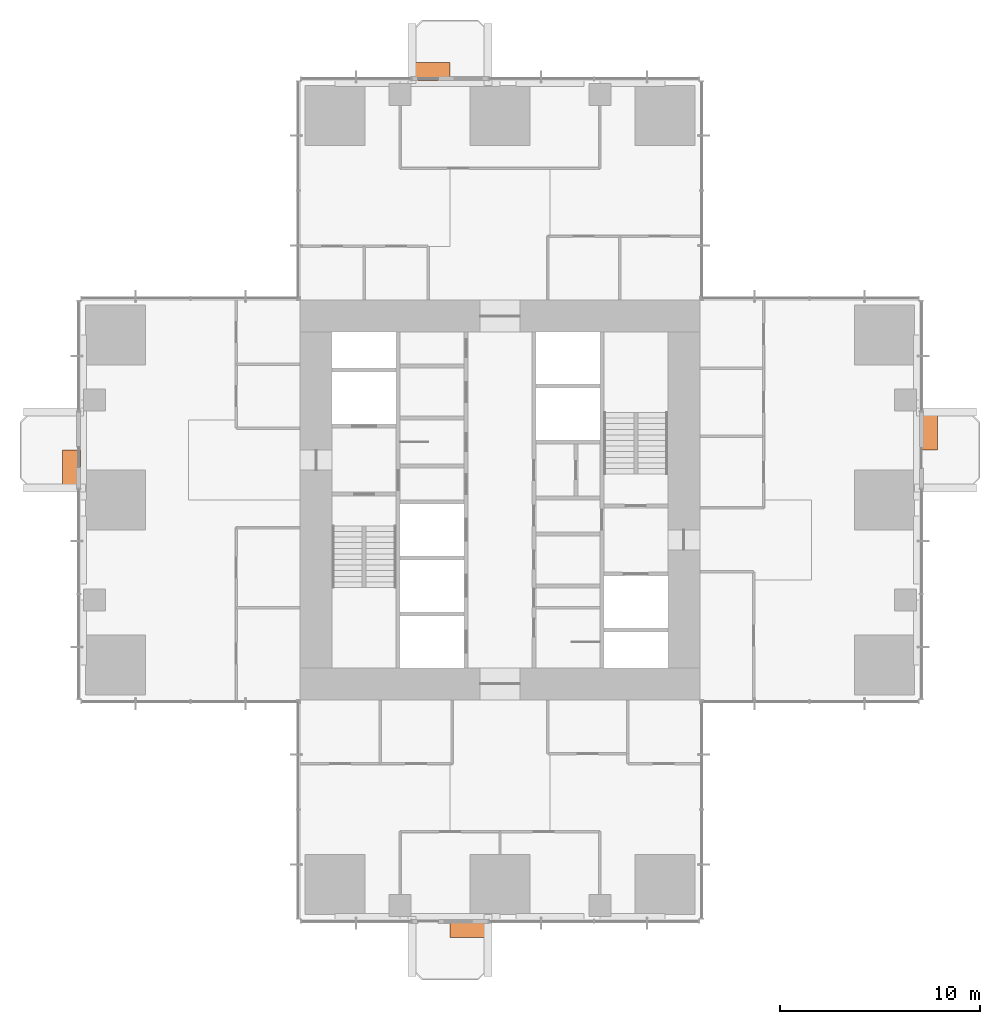
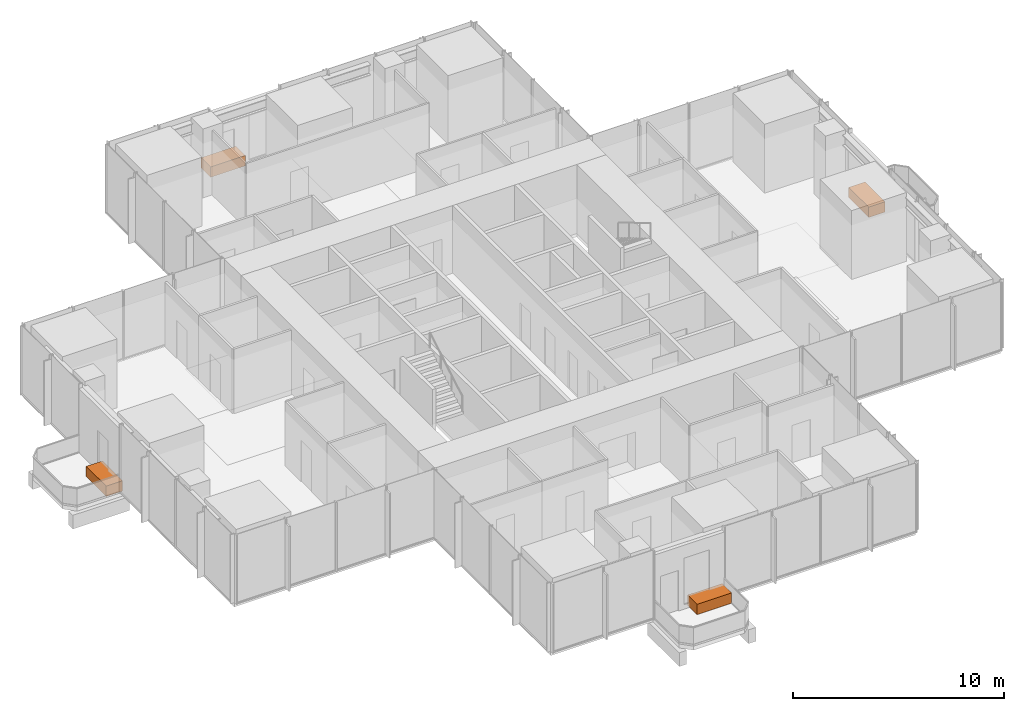
# One storey, part 13 of 13: 4 proxies.
"""IFC4 building model written with IfcOpenShell, lengths in metres."""

import ifcopenshell
import ifcopenshell.guid

model = None  # the IFC model being written
_history = None  # IfcOwnerHistory: only IFC2X3 demands one
_inside = {}  # id of a spatial element -> (the spatial element, [elements in it])
_under = {}  # id of a project, library or spatial element -> (it, [spatial elements below it])
_declared = {}  # id of a project -> (the project, [libraries it declares])
_typed = {}  # id of a type object -> (the type object, [elements of that type])
_made_of = {}  # id of a material, layer set ... -> (it, [elements and type objects made of it])


def new_model(schema):
    """Start an empty IFC model of exactly this schema.

    Asked for "IFC4X3", IfcOpenShell would pick the latest addendum, in which some entities
    have other attributes; the version numbers below select the first issue.
    IFC2X3 requires an IfcOwnerHistory on every rooted entity: one is made here for all.
    """
    global model, _history
    if schema == "IFC4X3":
        model = ifcopenshell.file(schema_version=(4, 3, 0, 0))
    else:
        model = ifcopenshell.file(schema=schema)
    _inside.clear()
    _under.clear()
    _declared.clear()
    _typed.clear()
    _made_of.clear()
    _history = None
    if model.schema == "IFC2X3":
        org = make("IfcOrganization", Name="unknown")
        user = make(
            "IfcPersonAndOrganization",
            ThePerson=make("IfcPerson", FamilyName="unknown"),
            TheOrganization=org,
        )
        app = make(
            "IfcApplication",
            ApplicationDeveloper=org,
            Version="unknown",
            ApplicationFullName="unknown",
            ApplicationIdentifier="unknown",
        )
        _history = make(
            "IfcOwnerHistory",
            OwningUser=user,
            OwningApplication=app,
            ChangeAction="ADDED",
            CreationDate=0,
        )
    return model


def make(cls, **values):
    """One entity of the class cls with the attributes given. An attribute that is None is left unset."""
    return model.create_entity(
        cls, **{name: value for name, value in values.items() if value is not None}
    )


def rooted(cls, **values):
    """An entity with a GlobalId (a new one), such as an element, a storey or a relation."""
    return make(cls, GlobalId=ifcopenshell.guid.new(), OwnerHistory=_history, **values)


def si_unit(unit_type, name, prefix=None):
    """IfcSIUnit, for example si_unit("LENGTHUNIT", "METRE", prefix="MILLI")."""
    return make("IfcSIUnit", UnitType=unit_type, Prefix=prefix, Name=name)


def assignment(units):
    """IfcUnitAssignment: the units of a project."""
    return None if units is None else make("IfcUnitAssignment", Units=units)


def point(xyz):
    """IfcCartesianPoint."""
    return None if xyz is None else make("IfcCartesianPoint", Coordinates=xyz)


def direction(xyz):
    """IfcDirection."""
    return None if xyz is None else make("IfcDirection", DirectionRatios=xyz)


def frame(location, z_axis=None, x_axis=None):
    """IfcAxis2Placement3D, a coordinate frame: its origin and axes. An axis left out is left unset."""
    return make(
        "IfcAxis2Placement3D",
        Location=point(location),
        Axis=direction(z_axis),
        RefDirection=direction(x_axis),
    )


def frame_2d(location, x_axis=None):
    """IfcAxis2Placement2D, a coordinate frame in the plane: its origin and x axis."""
    return make(
        "IfcAxis2Placement2D", Location=point(location), RefDirection=direction(x_axis)
    )


def origin():
    """The frame at (0, 0, 0) with its axes left unset."""
    return frame((0.0, 0.0, 0.0))


def origin_2d():
    """The frame at (0, 0) in the plane with its x axis left unset."""
    return frame_2d((0.0, 0.0))


def place(relative_to, where):
    """IfcLocalPlacement: puts the frame where relative to a parent placement (None: the world)."""
    return make(
        "IfcLocalPlacement", PlacementRelTo=relative_to, RelativePlacement=where
    )


def context(
    kind, dimensions, precision=None, world=None, true_north=None, identifier=None
):
    """IfcGeometricRepresentationContext, for example the 3D "Model" context."""
    return make(
        "IfcGeometricRepresentationContext",
        ContextIdentifier=identifier,
        ContextType=kind,
        CoordinateSpaceDimension=dimensions,
        Precision=precision,
        WorldCoordinateSystem=world,
        TrueNorth=true_north,
    )


def subcontext(parent, identifier, kind, view, scale=None):
    """IfcGeometricRepresentationSubContext, for example "Body" below "Model"."""
    return make(
        "IfcGeometricRepresentationSubContext",
        ContextIdentifier=identifier,
        ContextType=kind,
        ParentContext=parent,
        TargetScale=scale,
        TargetView=view,
    )


def project(units=None, contexts=None):
    """IfcProject with its units and contexts."""
    return rooted(
        "IfcProject",
        Name="project",
        RepresentationContexts=contexts,
        UnitsInContext=assignment(units),
    )


def spatial(cls, under=None, at=None, **own):
    """A site, building, storey or space (cls), placed at a placement, below another one or the project."""
    s = rooted(cls, ObjectPlacement=at, **own)
    if under is not None:
        _under.setdefault(under.id(), (under, []))[1].append(s)
    return s


def profile(cls, at=None, kind="AREA", **sizes):
    """A parametric profile (cls). Its sizes go by their IFC names, for example OverallWidth=200.0."""
    return make(cls, ProfileType=kind, Position=at, **sizes)


def rectangle(**sizes):
    """IfcRectangleProfileDef."""
    return profile("IfcRectangleProfileDef", **sizes)


def extrude(swept, where, along, depth):
    """IfcExtrudedAreaSolid: the profile swept, set in the frame where, extruded along a direction by depth."""
    return make(
        "IfcExtrudedAreaSolid",
        SweptArea=swept,
        Position=where,
        ExtrudedDirection=direction(along),
        Depth=depth,
    )


def shape(context_of_items, identifier, shape_type, items):
    """IfcShapeRepresentation: the items that make up one representation, for example the "Body"."""
    return make(
        "IfcShapeRepresentation",
        ContextOfItems=context_of_items,
        RepresentationIdentifier=identifier,
        RepresentationType=shape_type,
        Items=items,
    )


def made_of(thing, what):
    """Note that an element or type object is made of a material, layer set ...; save() writes the relation."""
    if what is not None:
        _made_of.setdefault(what.id(), (what, []))[1].append(thing)
    return thing


def element(
    cls,
    number,
    at=None,
    inside=None,
    cuts=None,
    type_object=None,
    material=None,
    context=None,
    identifier="Body",
    shape_type=None,
    held_by="IfcProductDefinitionShape",
    body=None,
    shapes=None,
    **own,
):
    """One element of the class cls, such as IfcWall. Its Tag is "e" and its number.

    at: its placement. inside: the storey or other place that contains it. cuts: it is an
    opening in that element (IfcRelVoidsElement). A single representation is given by context,
    identifier, shape_type and body (its items); several are given by shapes. held_by: the class
    of the entity that holds the representations. save() writes the other relations.
    """
    e = rooted(cls, Tag="e%d" % number, ObjectPlacement=at, **own)
    if body is not None:
        shapes = [shape(context, identifier, shape_type, body)]
    if shapes is not None:
        e.Representation = make(held_by, Representations=shapes)
    if inside is not None:
        _inside.setdefault(inside.id(), (inside, []))[1].append(e)
    if cuts is not None:
        rooted(
            "IfcRelVoidsElement", RelatingBuildingElement=cuts, RelatedOpeningElement=e
        )
    if type_object is not None:
        _typed.setdefault(type_object.id(), (type_object, []))[1].append(e)
    return made_of(e, material)


def aggregate(whole, parts):
    """IfcRelAggregates: a whole, such as a stair, and the parts it consists of."""
    return rooted("IfcRelAggregates", RelatingObject=whole, RelatedObjects=parts)


def save(model, path):
    """Write the relations noted so far, then the file.

    IfcRelAggregates (storeys below a building ...), IfcRelContainedInSpatialStructure (elements
    in a storey), IfcRelDefinesByType, IfcRelAssociatesMaterial and IfcRelDeclares: one each for
    every whole, place, type object, material and project.
    """
    for whole, parts in _under.values():
        aggregate(whole, parts)
    for where, things in _inside.values():
        rooted(
            "IfcRelContainedInSpatialStructure",
            RelatedElements=things,
            RelatingStructure=where,
        )
    for kind, things in _typed.values():
        rooted("IfcRelDefinesByType", RelatedObjects=things, RelatingType=kind)
    for what, things in _made_of.values():
        rooted("IfcRelAssociatesMaterial", RelatedObjects=things, RelatingMaterial=what)
    for by, libraries in _declared.values():
        rooted("IfcRelDeclares", RelatingContext=by, RelatedDefinitions=libraries)
    model.write(path)


model = new_model("IFC4")

# Units and contexts
model_context = context("Model", 3, precision=1e-05, world=origin(), true_north=direction((0.0, 1.0)))
body_context = subcontext(model_context, "Body", "Model", "MODEL_VIEW")
ifc_project = project(units=[si_unit("LENGTHUNIT", "METRE"), si_unit("AREAUNIT", "SQUARE_METRE"), si_unit("VOLUMEUNIT", "CUBIC_METRE"), si_unit("PLANEANGLEUNIT", "RADIAN"), si_unit("MASSUNIT", "GRAM", prefix="KILO")], contexts=[model_context])

# Site, building, storey
site_placement = place(None, origin())
site = spatial("IfcSite", under=ifc_project, at=site_placement, CompositionType="ELEMENT")
building_placement = place(site_placement, origin())
building = spatial("IfcBuilding", under=site, at=building_placement, Name="Svetlomir Tower", CompositionType="ELEMENT")
storey_placement = place(building_placement, frame((0.0, 0.0, 132.5)))
storey = spatial("IfcBuildingStorey", under=building, at=storey_placement, Name="L31", CompositionType="ELEMENT", Elevation=132.5)

# Proxies
proxy_1_placement = place(storey_placement, frame((19.449951171875, -0.449951171875, 0.0400390625), z_axis=(0.0, 0.0, 1.0), x_axis=(1.0, 0.0, 0.0)))
element("IfcBuildingElementProxy", 1, at=proxy_1_placement, inside=storey, Name="Tree planter S L31", ObjectType="PLANTER", PredefinedType="USERDEFINED", context=body_context, shape_type="SweptSolid", body=[
    extrude(rectangle(XDim=1.89990234375, YDim=0.89990234375, at=origin_2d()), origin(), (0.0, 0.0, 1.0), 0.60009765625),
])
proxy_2_placement = place(storey_placement, frame((42.449951171875, 24.449951171875, 0.0400390625), z_axis=(0.0, 0.0, 1.0), x_axis=(1.0, 0.0, 0.0)))
element("IfcBuildingElementProxy", 2, at=proxy_2_placement, inside=storey, Name="Tree planter E L31", ObjectType="PLANTER", PredefinedType="USERDEFINED", context=body_context, shape_type="SweptSolid", body=[
    extrude(rectangle(XDim=0.89990234375, YDim=1.89990234375, at=origin_2d()), origin(), (0.0, 0.0, 1.0), 0.60009765625),
])
proxy_3_placement = place(storey_placement, frame((17.550048828125, 42.449951171875, 0.0400390625), z_axis=(0.0, 0.0, 1.0), x_axis=(1.0, 0.0, 0.0)))
element("IfcBuildingElementProxy", 3, at=proxy_3_placement, inside=storey, Name="Tree planter N L31", ObjectType="PLANTER", PredefinedType="USERDEFINED", context=body_context, shape_type="SweptSolid", body=[
    extrude(rectangle(XDim=1.89990234375, YDim=0.89990234375, at=origin_2d()), origin(), (0.0, 0.0, 1.0), 0.60009765625),
])
proxy_4_placement = place(storey_placement, frame((-0.449951171875, 22.550048828125, 0.0400390625), z_axis=(0.0, 0.0, 1.0), x_axis=(1.0, 0.0, 0.0)))
element("IfcBuildingElementProxy", 4, at=proxy_4_placement, inside=storey, Name="Tree planter W L31", ObjectType="PLANTER", PredefinedType="USERDEFINED", context=body_context, shape_type="SweptSolid", body=[
    extrude(rectangle(XDim=0.89990234375, YDim=1.89990234375, at=origin_2d()), origin(), (0.0, 0.0, 1.0), 0.60009765625),
])

save(model, "model.ifc")
